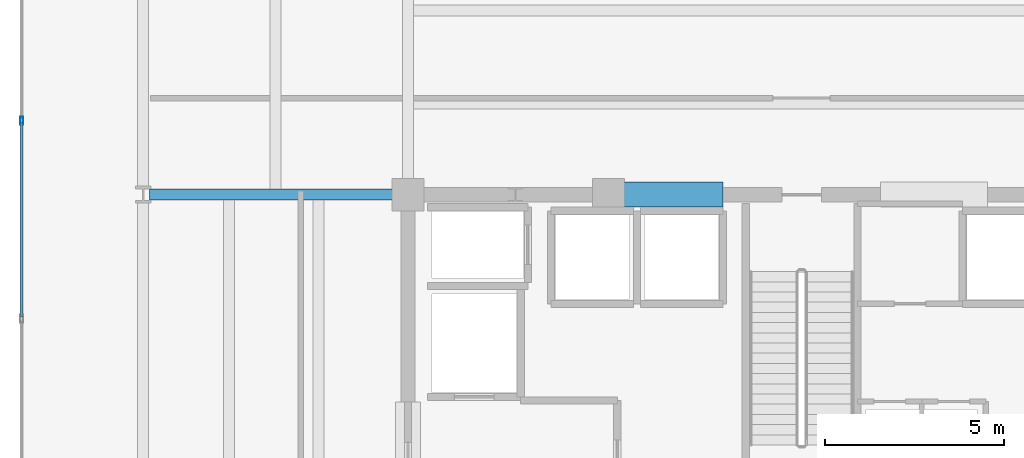
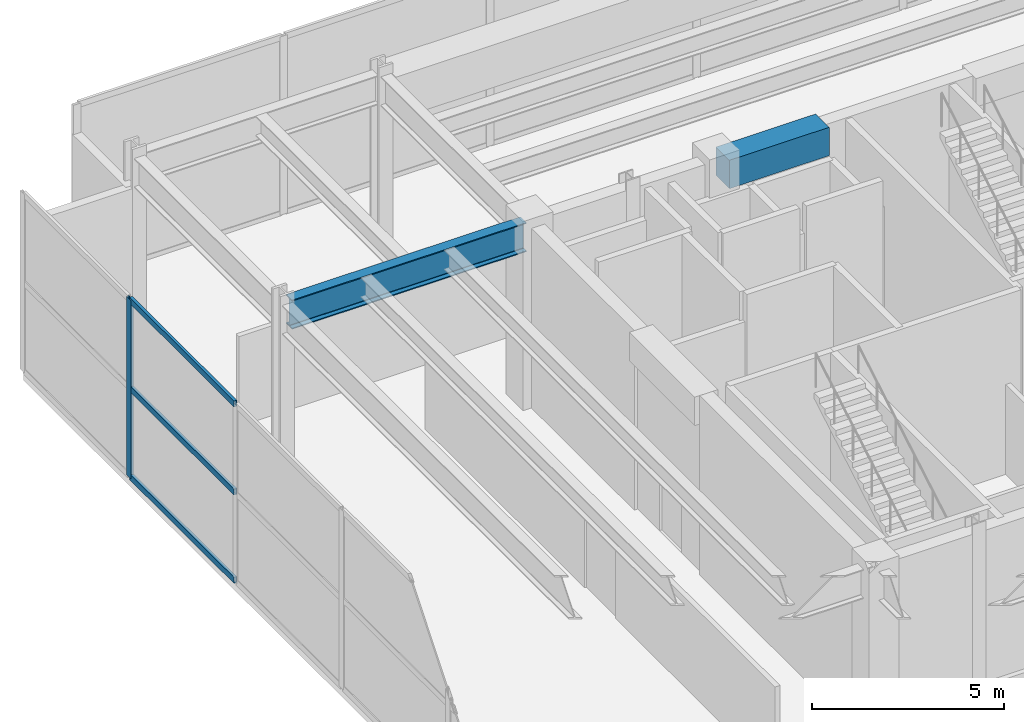
# One storey, part 8 of 21: 4 members, 2 beams, 1 element without a shape of its own.
"""IFC4 building model written with IfcOpenShell, lengths in metres."""

import ifcopenshell
import ifcopenshell.guid

model = None  # the IFC model being written
_history = None  # IfcOwnerHistory: only IFC2X3 demands one
_inside = {}  # id of a spatial element -> (the spatial element, [elements in it])
_under = {}  # id of a project, library or spatial element -> (it, [spatial elements below it])
_declared = {}  # id of a project -> (the project, [libraries it declares])
_typed = {}  # id of a type object -> (the type object, [elements of that type])
_made_of = {}  # id of a material, layer set ... -> (it, [elements and type objects made of it])


def new_model(schema):
    """Start an empty IFC model of exactly this schema.

    Asked for "IFC4X3", IfcOpenShell would pick the latest addendum, in which some entities
    have other attributes; the version numbers below select the first issue.
    IFC2X3 requires an IfcOwnerHistory on every rooted entity: one is made here for all.
    """
    global model, _history
    if schema == "IFC4X3":
        model = ifcopenshell.file(schema_version=(4, 3, 0, 0))
    else:
        model = ifcopenshell.file(schema=schema)
    _inside.clear()
    _under.clear()
    _declared.clear()
    _typed.clear()
    _made_of.clear()
    _history = None
    if model.schema == "IFC2X3":
        org = make("IfcOrganization", Name="unknown")
        user = make(
            "IfcPersonAndOrganization",
            ThePerson=make("IfcPerson", FamilyName="unknown"),
            TheOrganization=org,
        )
        app = make(
            "IfcApplication",
            ApplicationDeveloper=org,
            Version="unknown",
            ApplicationFullName="unknown",
            ApplicationIdentifier="unknown",
        )
        _history = make(
            "IfcOwnerHistory",
            OwningUser=user,
            OwningApplication=app,
            ChangeAction="ADDED",
            CreationDate=0,
        )
    return model


def make(cls, **values):
    """One entity of the class cls with the attributes given. An attribute that is None is left unset."""
    return model.create_entity(
        cls, **{name: value for name, value in values.items() if value is not None}
    )


def rooted(cls, **values):
    """An entity with a GlobalId (a new one), such as an element, a storey or a relation."""
    return make(cls, GlobalId=ifcopenshell.guid.new(), OwnerHistory=_history, **values)


def si_unit(unit_type, name, prefix=None):
    """IfcSIUnit, for example si_unit("LENGTHUNIT", "METRE", prefix="MILLI")."""
    return make("IfcSIUnit", UnitType=unit_type, Prefix=prefix, Name=name)


def assignment(units):
    """IfcUnitAssignment: the units of a project."""
    return None if units is None else make("IfcUnitAssignment", Units=units)


def point(xyz):
    """IfcCartesianPoint."""
    return None if xyz is None else make("IfcCartesianPoint", Coordinates=xyz)


def direction(xyz):
    """IfcDirection."""
    return None if xyz is None else make("IfcDirection", DirectionRatios=xyz)


def frame(location, z_axis=None, x_axis=None):
    """IfcAxis2Placement3D, a coordinate frame: its origin and axes. An axis left out is left unset."""
    return make(
        "IfcAxis2Placement3D",
        Location=point(location),
        Axis=direction(z_axis),
        RefDirection=direction(x_axis),
    )


def frame_2d(location, x_axis=None):
    """IfcAxis2Placement2D, a coordinate frame in the plane: its origin and x axis."""
    return make(
        "IfcAxis2Placement2D", Location=point(location), RefDirection=direction(x_axis)
    )


def origin():
    """The frame at (0, 0, 0) with its axes left unset."""
    return frame((0.0, 0.0, 0.0))


def origin_2d():
    """The frame at (0, 0) in the plane with its x axis left unset."""
    return frame_2d((0.0, 0.0))


def place(relative_to, where):
    """IfcLocalPlacement: puts the frame where relative to a parent placement (None: the world)."""
    return make(
        "IfcLocalPlacement", PlacementRelTo=relative_to, RelativePlacement=where
    )


def context(
    kind, dimensions, precision=None, world=None, true_north=None, identifier=None
):
    """IfcGeometricRepresentationContext, for example the 3D "Model" context."""
    return make(
        "IfcGeometricRepresentationContext",
        ContextIdentifier=identifier,
        ContextType=kind,
        CoordinateSpaceDimension=dimensions,
        Precision=precision,
        WorldCoordinateSystem=world,
        TrueNorth=true_north,
    )


def subcontext(parent, identifier, kind, view, scale=None):
    """IfcGeometricRepresentationSubContext, for example "Body" below "Model"."""
    return make(
        "IfcGeometricRepresentationSubContext",
        ContextIdentifier=identifier,
        ContextType=kind,
        ParentContext=parent,
        TargetScale=scale,
        TargetView=view,
    )


def project(units=None, contexts=None):
    """IfcProject with its units and contexts."""
    return rooted(
        "IfcProject",
        Name="project",
        RepresentationContexts=contexts,
        UnitsInContext=assignment(units),
    )


def spatial(cls, under=None, at=None, **own):
    """A site, building, storey or space (cls), placed at a placement, below another one or the project."""
    s = rooted(cls, ObjectPlacement=at, **own)
    if under is not None:
        _under.setdefault(under.id(), (under, []))[1].append(s)
    return s


def profile(cls, at=None, kind="AREA", **sizes):
    """A parametric profile (cls). Its sizes go by their IFC names, for example OverallWidth=200.0."""
    return make(cls, ProfileType=kind, Position=at, **sizes)


def rectangle(**sizes):
    """IfcRectangleProfileDef."""
    return profile("IfcRectangleProfileDef", **sizes)


def hollow_rectangle(**sizes):
    """IfcRectangleHollowProfileDef."""
    return profile("IfcRectangleHollowProfileDef", **sizes)


def i_section(**sizes):
    """IfcIShapeProfileDef."""
    return profile("IfcIShapeProfileDef", **sizes)


def extrude(swept, where, along, depth):
    """IfcExtrudedAreaSolid: the profile swept, set in the frame where, extruded along a direction by depth."""
    return make(
        "IfcExtrudedAreaSolid",
        SweptArea=swept,
        Position=where,
        ExtrudedDirection=direction(along),
        Depth=depth,
    )


def shape(context_of_items, identifier, shape_type, items):
    """IfcShapeRepresentation: the items that make up one representation, for example the "Body"."""
    return make(
        "IfcShapeRepresentation",
        ContextOfItems=context_of_items,
        RepresentationIdentifier=identifier,
        RepresentationType=shape_type,
        Items=items,
    )


def material(Name=None, Category=None):
    """IfcMaterial."""
    return make("IfcMaterial", Name=Name, Category=Category)


def material_profile(
    of_material, cross_section, Name=None, Category=None, Priority=None
):
    """IfcMaterialProfile: a cross section and its material."""
    return make(
        "IfcMaterialProfile",
        Name=Name,
        Material=of_material,
        Profile=cross_section,
        Priority=Priority,
        Category=Category,
    )


def profile_set(profiles, Name=None, composite=None):
    """IfcMaterialProfileSet."""
    return make(
        "IfcMaterialProfileSet",
        Name=Name,
        MaterialProfiles=profiles,
        CompositeProfile=composite,
    )


def made_of(thing, what):
    """Note that an element or type object is made of a material, layer set ...; save() writes the relation."""
    if what is not None:
        _made_of.setdefault(what.id(), (what, []))[1].append(thing)
    return thing


def type_object(cls, material=None, **own):
    """A type object (cls), such as IfcWallType, which elements share."""
    return made_of(rooted(cls, **own), material)


def element(
    cls,
    number,
    at=None,
    inside=None,
    cuts=None,
    type_object=None,
    material=None,
    context=None,
    identifier="Body",
    shape_type=None,
    held_by="IfcProductDefinitionShape",
    body=None,
    shapes=None,
    **own,
):
    """One element of the class cls, such as IfcWall. Its Tag is "e" and its number.

    at: its placement. inside: the storey or other place that contains it. cuts: it is an
    opening in that element (IfcRelVoidsElement). A single representation is given by context,
    identifier, shape_type and body (its items); several are given by shapes. held_by: the class
    of the entity that holds the representations. save() writes the other relations.
    """
    e = rooted(cls, Tag="e%d" % number, ObjectPlacement=at, **own)
    if body is not None:
        shapes = [shape(context, identifier, shape_type, body)]
    if shapes is not None:
        e.Representation = make(held_by, Representations=shapes)
    if inside is not None:
        _inside.setdefault(inside.id(), (inside, []))[1].append(e)
    if cuts is not None:
        rooted(
            "IfcRelVoidsElement", RelatingBuildingElement=cuts, RelatedOpeningElement=e
        )
    if type_object is not None:
        _typed.setdefault(type_object.id(), (type_object, []))[1].append(e)
    return made_of(e, material)


def aggregate(whole, parts):
    """IfcRelAggregates: a whole, such as a stair, and the parts it consists of."""
    return rooted("IfcRelAggregates", RelatingObject=whole, RelatedObjects=parts)


def save(model, path):
    """Write the relations noted so far, then the file.

    IfcRelAggregates (storeys below a building ...), IfcRelContainedInSpatialStructure (elements
    in a storey), IfcRelDefinesByType, IfcRelAssociatesMaterial and IfcRelDeclares: one each for
    every whole, place, type object, material and project.
    """
    for whole, parts in _under.values():
        aggregate(whole, parts)
    for where, things in _inside.values():
        rooted(
            "IfcRelContainedInSpatialStructure",
            RelatedElements=things,
            RelatingStructure=where,
        )
    for kind, things in _typed.values():
        rooted("IfcRelDefinesByType", RelatedObjects=things, RelatingType=kind)
    for what, things in _made_of.values():
        rooted("IfcRelAssociatesMaterial", RelatedObjects=things, RelatingMaterial=what)
    for by, libraries in _declared.values():
        rooted("IfcRelDeclares", RelatingContext=by, RelatedDefinitions=libraries)
    model.write(path)


model = new_model("IFC4")

# Units and contexts
model_context = context("Model", 3, precision=1e-05, world=origin(), true_north=direction((0.0, 1.0)))
body_context = subcontext(model_context, "Body", "Model", "MODEL_VIEW")
ifc_project = project(units=[si_unit("LENGTHUNIT", "METRE"), si_unit("AREAUNIT", "SQUARE_METRE"), si_unit("VOLUMEUNIT", "CUBIC_METRE"), si_unit("PLANEANGLEUNIT", "RADIAN"), si_unit("MASSUNIT", "GRAM", prefix="KILO")], contexts=[model_context])

# Site, building, storey
site_placement = place(None, origin())
site = spatial("IfcSite", under=ifc_project, at=site_placement, CompositionType="ELEMENT")
building_placement = place(site_placement, origin())
building = spatial("IfcBuilding", under=site, at=building_placement, Name="Kovane Verandah Tower", CompositionType="ELEMENT")
storey_placement = place(building_placement, frame((0.0, 0.0, 342.800048828125)))
storey = spatial("IfcBuildingStorey", under=building, at=storey_placement, Name="L80", CompositionType="ELEMENT", Elevation=342.800048828125)

# Beams
ifc_material_1 = material(Name="Concrete C60/75", Category="concrete")
ifc_material_profile_1 = material_profile(ifc_material_1, rectangle(XDim=0.699951171875, YDim=0.89990234375, at=origin_2d()), Name="RCB700x900")
ifc_profile_set_1 = profile_set([ifc_material_profile_1], Name="Concrete C60/75")
beam_type_1 = type_object("IfcBeamType", Name="BM-LINTEL-700x900", PredefinedType="LINTEL", material=ifc_profile_set_1)
beam_1_placement = place(storey_placement, frame((34.800048828125, 36.5, 5.25), z_axis=(1.0, 0.0, 0.0), x_axis=(0.0, 1.0, 0.0)))
element("IfcBeam", 1, at=beam_1_placement, inside=storey, type_object=beam_type_1, Name="L80 Core Coupling Lintel CL-N1", PredefinedType="LINTEL", context=body_context, shape_type="SweptSolid", body=[
    extrude(rectangle(XDim=0.699951171875, YDim=0.89990234375, at=origin_2d()), origin(), (0.0, 0.0, 1.0), 3.0),
])
ifc_material_2 = material(Name="Steel S460", Category="steel")
ifc_material_profile_2 = material_profile(ifc_material_2, i_section(OverallWidth=0.3076171875, OverallDepth=0.926513671875, WebThickness=0.01953125, FlangeThickness=0.031982421875, FilletRadius=0.01904296875, at=origin_2d()), Name="UB914x305x289")
ifc_profile_set_2 = profile_set([ifc_material_profile_2], Name="Steel S460")
beam_type_2 = type_object("IfcBeamType", Name="BM-UB914x289", PredefinedType="BEAM", material=ifc_profile_set_2)
beam_2_placement = place(storey_placement, frame((28.820068359375, 36.5, 5.236572265625), z_axis=(-1.0, 0.0, 0.0), x_axis=(0.0, -1.0, 0.0)))
element("IfcBeam", 2, at=beam_2_placement, inside=storey, type_object=beam_type_2, Name="L80 Primary Tower Girder G-W2", PredefinedType="BEAM", context=body_context, shape_type="SweptSolid", body=[
    extrude(i_section(OverallWidth=0.3076171875, OverallDepth=0.926513671875, WebThickness=0.01953125, FlangeThickness=0.031982421875, FilletRadius=0.01904296875, at=origin_2d()), origin(), (0.0, 0.0, 1.0), 7.0400390625),
])

# Curtain wall, members
ifc_material_3 = material(Name="Champagne Anodised Aluminium Frame with Low-E Clear Laminated Glass", Category="aluminium")
curtain_wall_type = type_object("IfcCurtainWallType", Name="CW-SYS-06-CROWN", PredefinedType="NOTDEFINED", material=ifc_material_3)
curtain_wall_placement = place(storey_placement, origin())
curtain_wall = element("IfcCurtainWall", 3, at=curtain_wall_placement, inside=storey, type_object=curtain_wall_type, Name="L80 W Unitised Curtain Wall", PredefinedType="NOTDEFINED")
ifc_material_4 = material(Name="Champagne Anodised Aluminium 6063-T6", Category="aluminium")
ifc_material_profile_3 = material_profile(ifc_material_4, hollow_rectangle(XDim=0.0849609375, YDim=0.22998046875, WallThickness=0.00390625, at=origin_2d()), Name="AL85x230x4")
ifc_profile_set_3 = profile_set([ifc_material_profile_3], Name="Champagne Anodised Aluminium 6063-T6")
member_type_1 = type_object("IfcMemberType", Name="CW-MUL-85x230", PredefinedType="MULLION", material=ifc_profile_set_3)
member_1_placement = place(storey_placement, frame((18.199951171875, 38.566650390625, 0.02001953125), z_axis=(0.0, 0.0, 1.0), x_axis=(-1.0, 0.0, 0.0)))
member_1 = element("IfcMember", 4, at=member_1_placement, type_object=member_type_1, Name="L80 W Unitised Curtain Wall Mullion 2", PredefinedType="MULLION", context=body_context, shape_type="SweptSolid", body=[
    extrude(hollow_rectangle(XDim=0.0849609375, YDim=0.22998046875, WallThickness=0.00390625, at=origin_2d()), origin(), (0.0, 0.0, 1.0), 5.659912109375),
])
ifc_material_profile_4 = material_profile(ifc_material_4, hollow_rectangle(XDim=0.0849609375, YDim=0.18994140625, WallThickness=0.00390625, at=origin_2d()), Name="AL85x190x4")
ifc_profile_set_4 = profile_set([ifc_material_profile_4], Name="Champagne Anodised Aluminium 6063-T6")
member_type_2 = type_object("IfcMemberType", Name="CW-TRN-85x190", PredefinedType="USERDEFINED", material=ifc_profile_set_4)
member_2_placement = place(storey_placement, frame((18.199951171875, 38.5166015625, 0.050048828125), z_axis=(0.0, -1.0, 0.0), x_axis=(1.0, 0.0, 0.0)))
member_2 = element("IfcMember", 5, at=member_2_placement, type_object=member_type_2, Name="L80 W Unitised Curtain Wall Transom TB Bay 2", ObjectType="TRANSOM", PredefinedType="USERDEFINED", context=body_context, shape_type="SweptSolid", body=[
    extrude(hollow_rectangle(XDim=0.0849609375, YDim=0.18994140625, WallThickness=0.00390625, at=origin_2d()), origin(), (0.0, 0.0, 1.0), 5.433349609375),
])
member_3_placement = place(storey_placement, frame((18.199951171875, 38.5166015625, 2.849853515625), z_axis=(0.0, -1.0, 0.0), x_axis=(1.0, 0.0, 0.0)))
member_3 = element("IfcMember", 6, at=member_3_placement, type_object=member_type_2, Name="L80 W Unitised Curtain Wall Transom TM Bay 2", ObjectType="TRANSOM", PredefinedType="USERDEFINED", context=body_context, shape_type="SweptSolid", body=[
    extrude(hollow_rectangle(XDim=0.0849609375, YDim=0.18994140625, WallThickness=0.00390625, at=origin_2d()), origin(), (0.0, 0.0, 1.0), 5.433349609375),
])
member_4_placement = place(storey_placement, frame((18.199951171875, 38.5166015625, 5.64990234375), z_axis=(0.0, -1.0, 0.0), x_axis=(1.0, 0.0, 0.0)))
member_4 = element("IfcMember", 7, at=member_4_placement, type_object=member_type_2, Name="L80 W Unitised Curtain Wall Transom TT Bay 2", ObjectType="TRANSOM", PredefinedType="USERDEFINED", context=body_context, shape_type="SweptSolid", body=[
    extrude(hollow_rectangle(XDim=0.0849609375, YDim=0.18994140625, WallThickness=0.00390625, at=origin_2d()), origin(), (0.0, 0.0, 1.0), 5.433349609375),
])
aggregate(curtain_wall, [member_1, member_2, member_3, member_4])

save(model, "model.ifc")
